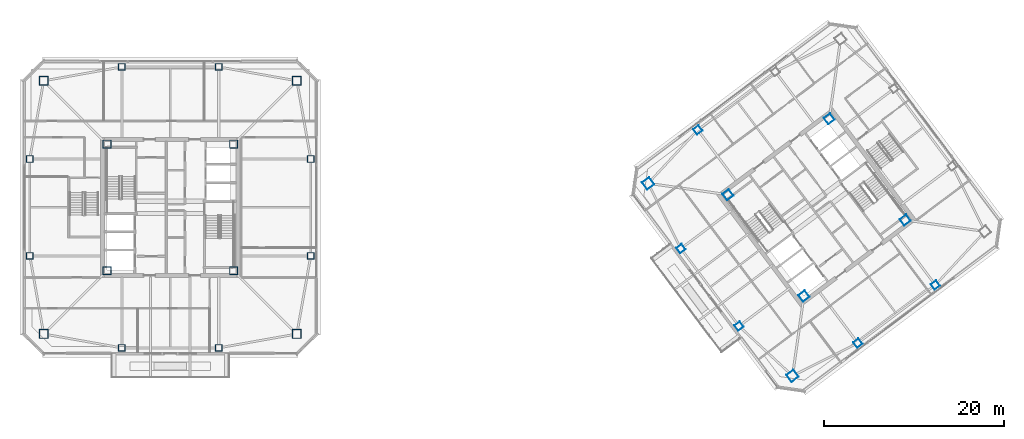
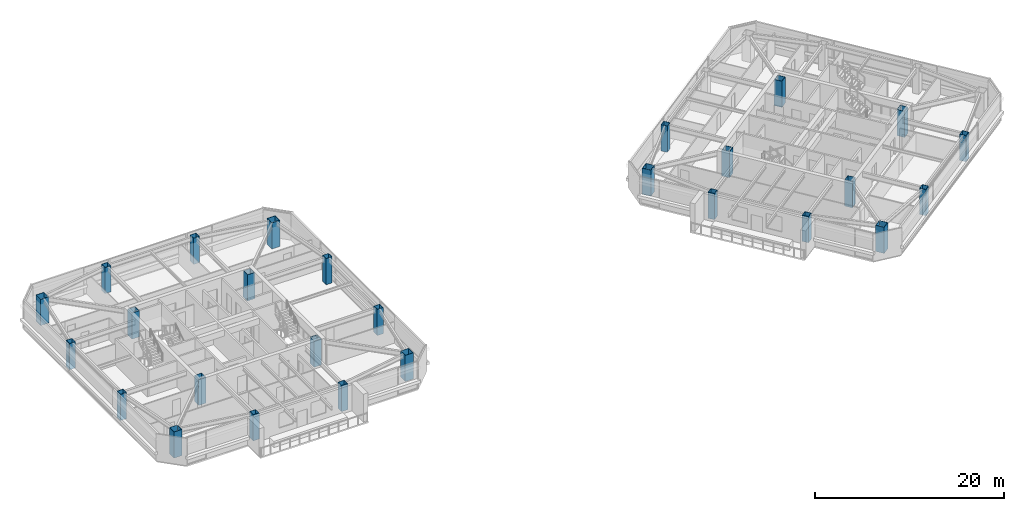
# One storey, part 1 of 40: 27 columns.
"""IFC4 building model written with IfcOpenShell, lengths in metres."""

from ifc_helpers import new_model, si_unit, direction, frame, origin, origin_2d, place, context, subcontext, project, spatial, hollow_rectangle, extrude, material, material_profile, profile_set, type_object, element, save


model = new_model("IFC4")

# Units and contexts
model_context = context("Model", 3, precision=1e-05, world=origin(), true_north=direction((0.0, 1.0)))
body_context = subcontext(model_context, "Body", "Model", "MODEL_VIEW")
ifc_project = project(units=[si_unit("LENGTHUNIT", "METRE"), si_unit("AREAUNIT", "SQUARE_METRE"), si_unit("VOLUMEUNIT", "CUBIC_METRE"), si_unit("PLANEANGLEUNIT", "RADIAN"), si_unit("MASSUNIT", "GRAM", prefix="KILO")], contexts=[model_context])

# Site, building, storey
site_placement = place(None, origin())
site = spatial("IfcSite", under=ifc_project, at=site_placement, CompositionType="ELEMENT")
building_placement = place(site_placement, origin())
building = spatial("IfcBuilding", under=site, at=building_placement, Name="Tashvorn Skyway Center", CompositionType="ELEMENT")
storey_placement = place(building_placement, frame((0.0, 0.0, 221.949951171875)))
storey = spatial("IfcBuildingStorey", under=building, at=storey_placement, Name="L60", CompositionType="ELEMENT", Elevation=221.949951171875)

# Columns
ifc_material = material(Name="Steel ASTM A572 Grade 50", Category="steel")
ifc_material_profile_1 = material_profile(ifc_material, hollow_rectangle(XDim=1.0, YDim=1.0, WallThickness=0.0400390625, at=origin_2d()), Name="BOX1000x1000x40")
ifc_profile_set_1 = profile_set([ifc_material_profile_1], Name="Steel ASTM A572 Grade 50")
column_type_1 = type_object("IfcColumnType", Name="COL-BOX1000x1000x40", PredefinedType="COLUMN", material=ifc_profile_set_1)
for number, where, z_axis, x_axis, name in (
    (1, (27.89990234375, 17.89990234375, 0.0), (0.0, 0.0, 1.0), (1.0, 0.0, 0.0), "Tower 1 L60 Mega-Column MC-SW"),
    (2, (56.10009765625, 17.89990234375, 0.0), (0.0, 0.0, 1.0), (1.0, 0.0, 0.0), "Tower 1 L60 Mega-Column MC-SE"),
    (3, (56.10009765625, 46.10009765625, 0.0), (0.0, 0.0, 1.0), (1.0, 0.0, 0.0), "Tower 1 L60 Mega-Column MC-NE"),
    (4, (27.89990234375, 46.10009765625, 0.0), (0.0, 0.0, 1.0), (1.0, 0.0, 0.0), "Tower 1 L60 Mega-Column MC-NW"),
    (5, (111.320068359375, 13.239990234375, 0.0), (0.0, 0.0, 1.0), (0.799999996291, 0.600000004945, 0.0), "Tower 2 L60 Mega-Column MC-SW"),
    (6, (95.239990234375, 34.679931640625, 0.0), (0.0, 0.0, 1.0), (0.799999996291, 0.600000004945, 0.0), "Tower 2 L60 Mega-Column MC-NW"),
):
    element("IfcColumn", number, at=place(storey_placement, frame(where, z_axis=z_axis, x_axis=x_axis)), inside=storey, type_object=column_type_1, Name=name, PredefinedType="COLUMN", context=body_context, shape_type="SweptSolid", body=[
        extrude(hollow_rectangle(XDim=1.0, YDim=1.0, WallThickness=0.0400390625, at=origin_2d()), origin(), (0.0, 0.0, 1.0), 3.3701171875),
    ])
ifc_material_profile_2 = material_profile(ifc_material, hollow_rectangle(XDim=0.75, YDim=0.75, WallThickness=0.031982421875, at=origin_2d()), Name="BOX750x750x32")
ifc_profile_set_2 = profile_set([ifc_material_profile_2], Name="Steel ASTM A572 Grade 50")
column_type_2 = type_object("IfcColumnType", Name="COL-BOX750x750x32", PredefinedType="COLUMN", material=ifc_profile_set_2)
for number, where, z_axis, x_axis, name in (
    (7, (36.60009765625, 16.35009765625, 0.0), (0.0, 0.0, 1.0), (1.0, 0.0, 0.0), "Tower 1 L60 Perimeter Column FC-S1"),
    (8, (47.39990234375, 16.35009765625, 0.0), (0.0, 0.0, 1.0), (1.0, 0.0, 0.0), "Tower 1 L60 Perimeter Column FC-S2"),
    (9, (57.64990234375, 26.60009765625, 0.0), (0.0, 0.0, 1.0), (1.0, 0.0, 0.0), "Tower 1 L60 Perimeter Column FC-E1"),
    (10, (57.64990234375, 37.39990234375, 0.0), (0.0, 0.0, 1.0), (1.0, 0.0, 0.0), "Tower 1 L60 Perimeter Column FC-E2"),
    (11, (47.39990234375, 47.64990234375, 0.0), (0.0, 0.0, 1.0), (1.0, 0.0, 0.0), "Tower 1 L60 Perimeter Column FC-N1"),
    (12, (36.60009765625, 47.64990234375, 0.0), (0.0, 0.0, 1.0), (1.0, 0.0, 0.0), "Tower 1 L60 Perimeter Column FC-N2"),
    (13, (26.35009765625, 37.39990234375, 0.0), (0.0, 0.0, 1.0), (1.0, 0.0, 0.0), "Tower 1 L60 Perimeter Column FC-W1"),
    (14, (26.35009765625, 26.60009765625, 0.0), (0.0, 0.0, 1.0), (1.0, 0.0, 0.0), "Tower 1 L60 Perimeter Column FC-W2"),
    (15, (118.590087890625, 16.8798828125, 0.0), (0.0, 0.0, 1.0), (0.799999996291, 0.600000004945, 0.0), "Tower 2 L60 Perimeter Column FC-S1"),
    (16, (127.22998046875, 23.360107421875, 0.0), (0.0, 0.0, 1.0), (0.799999996291, 0.600000004945, 0.0), "Tower 2 L60 Perimeter Column FC-S2"),
    (17, (100.77001953125, 40.639892578125, 0.0), (0.0, 0.0, 1.0), (0.799999996291, 0.600000004945, 0.0), "Tower 2 L60 Perimeter Column FC-N2"),
    (18, (98.8798828125, 27.409912109375, 0.0), (0.0, 0.0, 1.0), (0.799999996291, 0.600000004945, 0.0), "Tower 2 L60 Perimeter Column FC-W1"),
    (19, (105.360107421875, 18.77001953125, 0.0), (0.0, 0.0, 1.0), (0.799999996291, 0.600000004945, 0.0), "Tower 2 L60 Perimeter Column FC-W2"),
):
    element("IfcColumn", number, at=place(storey_placement, frame(where, z_axis=z_axis, x_axis=x_axis)), inside=storey, type_object=column_type_2, Name=name, PredefinedType="COLUMN", context=body_context, shape_type="SweptSolid", body=[
        extrude(hollow_rectangle(XDim=0.75, YDim=0.75, WallThickness=0.031982421875, at=origin_2d()), origin(), (0.0, 0.0, 1.0), 3.3701171875),
    ])
ifc_material_profile_3 = material_profile(ifc_material, hollow_rectangle(XDim=0.89990234375, YDim=0.89990234375, WallThickness=0.0400390625, at=origin_2d()), Name="BOX900x900x40")
ifc_profile_set_3 = profile_set([ifc_material_profile_3], Name="Steel ASTM A572 Grade 50")
column_type_3 = type_object("IfcColumnType", Name="COL-BOX900x900x40", PredefinedType="COLUMN", material=ifc_profile_set_3)
for number, where, z_axis, x_axis, name in (
    (20, (34.949951171875, 24.949951171875, 0.0), (0.0, 0.0, 1.0), (1.0, 0.0, 0.0), "Tower 1 L60 Core Corner Column CC-SW"),
    (21, (49.050048828125, 24.949951171875, 0.0), (0.0, 0.0, 1.0), (1.0, 0.0, 0.0), "Tower 1 L60 Core Corner Column CC-SE"),
    (22, (49.050048828125, 39.050048828125, 0.0), (0.0, 0.0, 1.0), (1.0, 0.0, 0.0), "Tower 1 L60 Core Corner Column CC-NE"),
    (23, (34.949951171875, 39.050048828125, 0.0), (0.0, 0.0, 1.0), (1.0, 0.0, 0.0), "Tower 1 L60 Core Corner Column CC-NW"),
    (24, (112.590087890625, 22.1298828125, 0.0), (0.0, 0.0, 1.0), (0.799999996291, 0.600000004945, 0.0), "Tower 2 L60 Core Corner Column CC-SW"),
    (25, (123.8701171875, 30.590087890625, 0.0), (0.0, 0.0, 1.0), (0.799999996291, 0.600000004945, 0.0), "Tower 2 L60 Core Corner Column CC-SE"),
    (26, (115.409912109375, 41.8701171875, 0.0), (0.0, 0.0, 1.0), (0.799999996291, 0.600000004945, 0.0), "Tower 2 L60 Core Corner Column CC-NE"),
    (27, (104.1298828125, 33.409912109375, 0.0), (0.0, 0.0, 1.0), (0.799999996291, 0.600000004945, 0.0), "Tower 2 L60 Core Corner Column CC-NW"),
):
    element("IfcColumn", number, at=place(storey_placement, frame(where, z_axis=z_axis, x_axis=x_axis)), inside=storey, type_object=column_type_3, Name=name, PredefinedType="COLUMN", context=body_context, shape_type="SweptSolid", body=[
        extrude(hollow_rectangle(XDim=0.89990234375, YDim=0.89990234375, WallThickness=0.0400390625, at=origin_2d()), origin(), (0.0, 0.0, 1.0), 3.3701171875),
    ])

save(model, "model.ifc")
